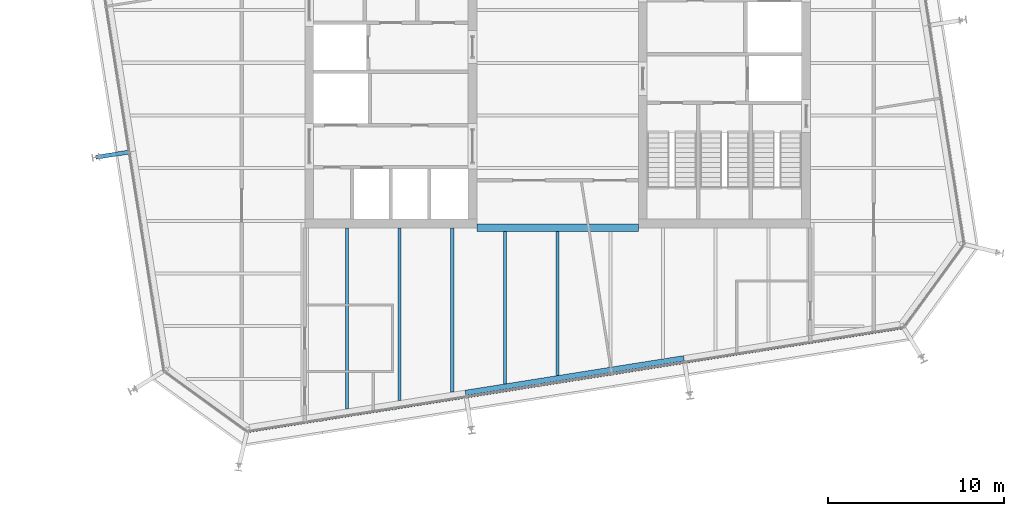
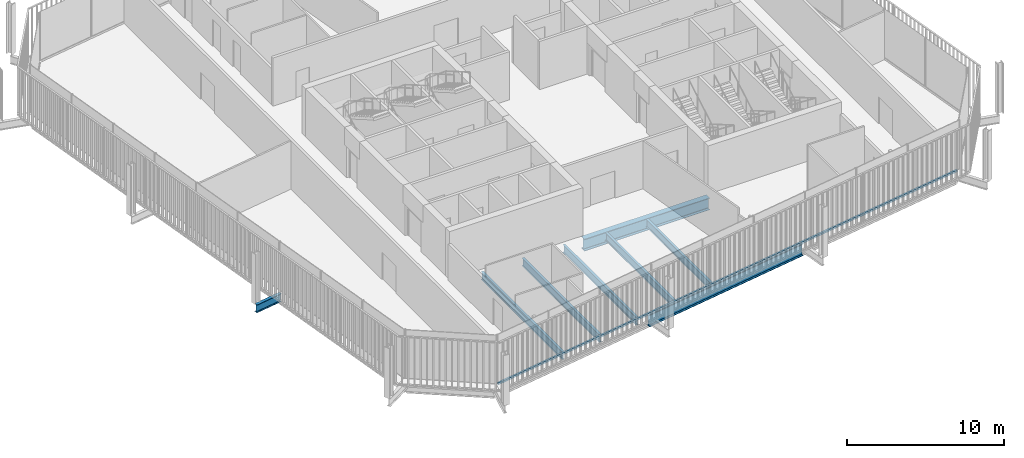
# One storey, part 3 of 20: 8 beams, 1 member, 1 element without a shape of its own.
"""IFC4 building model written with IfcOpenShell, lengths in metres."""

from ifc_helpers import new_model, si_unit, direction, frame, origin, origin_2d, place, context, subcontext, project, spatial, rectangle, i_section, extrude, material, layer, layer_set, material_profile, profile_set, type_object, element, aggregate, save


model = new_model("IFC4")

# Units and contexts
model_context = context("Model", 3, precision=1e-05, world=origin(), true_north=direction((0.0, 1.0)))
body_context = subcontext(model_context, "Body", "Model", "MODEL_VIEW")
ifc_project = project(units=[si_unit("LENGTHUNIT", "METRE"), si_unit("AREAUNIT", "SQUARE_METRE"), si_unit("VOLUMEUNIT", "CUBIC_METRE"), si_unit("PLANEANGLEUNIT", "RADIAN"), si_unit("MASSUNIT", "GRAM", prefix="KILO")], contexts=[model_context])

# Site, building, storey
site_placement = place(None, origin())
site = spatial("IfcSite", under=ifc_project, at=site_placement, CompositionType="ELEMENT")
building_placement = place(site_placement, origin())
building = spatial("IfcBuilding", under=site, at=building_placement, Name="Millrace Tower", CompositionType="ELEMENT")
storey_placement = place(building_placement, frame((0.0, 0.0, 224.199951171875)))
storey = spatial("IfcBuildingStorey", under=building, at=storey_placement, Name="L51", CompositionType="ELEMENT", Elevation=224.199951171875)

# Curtain wall, member
ifc_material_1 = material(Name="Aluminium and glass", Category="aluminium")
ifc_layer = layer(ifc_material_1, 0.14990234375)
ifc_layer_set = layer_set([ifc_layer], Name="Aluminium and glass")
curtain_wall_type = type_object("IfcCurtainWallType", Name="CW-1 office vision curtain wall", PredefinedType="NOTDEFINED", material=ifc_layer_set)
curtain_wall_placement = place(storey_placement, origin())
curtain_wall = element("IfcCurtainWall", 1, at=curtain_wall_placement, inside=storey, type_object=curtain_wall_type, Name="Curtain wall D-F02 L51", PredefinedType="NOTDEFINED")
ifc_material_2 = material(Name="Aluminium", Category="aluminium")
ifc_material_profile_1 = material_profile(ifc_material_2, rectangle(XDim=0.14990234375, YDim=0.139892578125, at=origin_2d()))
ifc_profile_set_1 = profile_set([ifc_material_profile_1], Name="Aluminium")
member_type = type_object("IfcMemberType", Name="CW-1 office vision curtain wall transom", PredefinedType="USERDEFINED", material=ifc_profile_set_1)
member_placement = place(storey_placement, frame((-17.558837890625, -20.98193359375, 0.070068359375), z_axis=(0.987687829698, 0.156437690685, 0.0), x_axis=(-0.156437690685, 0.987687829698, 0.0)))
member = element("IfcMember", 2, at=member_placement, type_object=member_type, Name="CW1 transom D-F02.1", ObjectType="TRANSOM", PredefinedType="USERDEFINED", context=body_context, shape_type="SweptSolid", body=[
    extrude(rectangle(XDim=0.14990234375, YDim=0.139892578125, at=origin_2d()), origin(), (0.0, 0.0, 1.0), 37.60009765625),
])
aggregate(curtain_wall, [member])

# Beams
ifc_material_3 = material(Name="Steel ASTM A992 Grade 50", Category="steel")
ifc_material_profile_2 = material_profile(ifc_material_3, i_section(OverallWidth=0.177978515625, OverallDepth=0.599365234375, WebThickness=0.010009765625, FlangeThickness=0.012939453125, FilletRadius=0.012939453125, at=origin_2d()))
ifc_profile_set_2 = profile_set([ifc_material_profile_2], Name="Steel ASTM A992 Grade 50")
beam_type_1 = type_object("IfcBeamType", Name="Floor beam W24x55", PredefinedType="JOIST", material=ifc_profile_set_2)
beam_1_placement = place(storey_placement, frame((-9.0, -19.2392578125, -0.459716796875), z_axis=(0.0, 1.0, 0.0), x_axis=(-1.0, 0.0, 0.0)))
element("IfcBeam", 3, at=beam_1_placement, inside=storey, type_object=beam_type_1, Name="BM-D-L51-S1-S039", PredefinedType="JOIST", context=body_context, shape_type="SweptSolid", body=[
    extrude(i_section(OverallWidth=0.177978515625, OverallDepth=0.599365234375, WebThickness=0.010009765625, FlangeThickness=0.012939453125, FilletRadius=0.012939453125, at=origin_2d()), origin(), (0.0, 0.0, 1.0), 9.83935546875),
])
beam_2_placement = place(storey_placement, frame((-6.0, -18.763916015625, -0.459716796875), z_axis=(0.0, 1.0, 0.0), x_axis=(-1.0, 0.0, 0.0)))
element("IfcBeam", 4, at=beam_2_placement, inside=storey, type_object=beam_type_1, Name="BM-D-L51-S1-S041", PredefinedType="JOIST", context=body_context, shape_type="SweptSolid", body=[
    extrude(i_section(OverallWidth=0.177978515625, OverallDepth=0.599365234375, WebThickness=0.010009765625, FlangeThickness=0.012939453125, FilletRadius=0.012939453125, at=origin_2d()), origin(), (0.0, 0.0, 1.0), 9.364013671875),
])
beam_3_placement = place(storey_placement, frame((-3.0, -18.288818359375, -0.459716796875), z_axis=(0.0, 1.0, 0.0), x_axis=(-1.0, 0.0, 0.0)))
element("IfcBeam", 5, at=beam_3_placement, inside=storey, type_object=beam_type_1, Name="BM-D-L51-S1-S043", PredefinedType="JOIST", context=body_context, shape_type="SweptSolid", body=[
    extrude(i_section(OverallWidth=0.177978515625, OverallDepth=0.599365234375, WebThickness=0.010009765625, FlangeThickness=0.012939453125, FilletRadius=0.012939453125, at=origin_2d()), origin(), (0.0, 0.0, 1.0), 8.67919921875),
])
beam_4_placement = place(storey_placement, frame((0.0, -17.813720703125, -0.459716796875), z_axis=(0.0, 1.0, 0.0), x_axis=(-1.0, 0.0, 0.0)))
element("IfcBeam", 6, at=beam_4_placement, inside=storey, type_object=beam_type_1, Name="BM-D-L51-S1-S045", PredefinedType="JOIST", context=body_context, shape_type="SweptSolid", body=[
    extrude(i_section(OverallWidth=0.177978515625, OverallDepth=0.599365234375, WebThickness=0.010009765625, FlangeThickness=0.012939453125, FilletRadius=0.012939453125, at=origin_2d()), origin(), (0.0, 0.0, 1.0), 8.2041015625),
])
ifc_material_4 = material(Name="Steel ASTM A992 Grade 50", Category="steel")
ifc_material_profile_3 = material_profile(ifc_material_4, i_section(OverallWidth=0.1787109375, OverallDepth=0.60205078125, WebThickness=0.010986328125, FlangeThickness=0.014892578125, FilletRadius=0.0126953125, at=origin_2d()))
ifc_profile_set_3 = profile_set([ifc_material_profile_3], Name="Steel ASTM A992 Grade 50")
beam_type_2 = type_object("IfcBeamType", Name="Floor beam W24x62", PredefinedType="JOIST", material=ifc_profile_set_3)
beam_5_placement = place(storey_placement, frame((-12.0, -19.71435546875, -0.4609375), z_axis=(0.0, 1.0, 0.0), x_axis=(-1.0, 0.0, 0.0)))
element("IfcBeam", 7, at=beam_5_placement, inside=storey, type_object=beam_type_2, Name="BM-D-L51-S1-S037", PredefinedType="JOIST", context=body_context, shape_type="SweptSolid", body=[
    extrude(i_section(OverallWidth=0.1787109375, OverallDepth=0.60205078125, WebThickness=0.010986328125, FlangeThickness=0.014892578125, FilletRadius=0.0126953125, at=origin_2d()), origin(), (0.0, 0.0, 1.0), 10.314453125),
])
ifc_material_5 = material(Name="Steel ASTM A992 Grade 50", Category="steel")
ifc_material_profile_4 = material_profile(ifc_material_5, i_section(OverallWidth=0.419189453125, OverallDepth=0.927001953125, WebThickness=0.019287109375, FlangeThickness=0.031982421875, FilletRadius=0.024169921875, at=origin_2d()))
ifc_profile_set_4 = profile_set([ifc_material_profile_4], Name="Steel ASTM A992 Grade 50")
beam_type_3 = type_object("IfcBeamType", Name="Girder short span W36x231", PredefinedType="BEAM", material=ifc_profile_set_4)
beam_6_placement = place(storey_placement, frame((-4.60009765625, -9.39990234375, -0.62353515625), z_axis=(1.0, 0.0, 0.0), x_axis=(0.0, 1.0, 0.0)))
element("IfcBeam", 8, at=beam_6_placement, inside=storey, type_object=beam_type_3, Name="BM-D-L51-S1-G059", PredefinedType="BEAM", context=body_context, shape_type="SweptSolid", body=[
    extrude(i_section(OverallWidth=0.419189453125, OverallDepth=0.927001953125, WebThickness=0.019287109375, FlangeThickness=0.031982421875, FilletRadius=0.024169921875, at=origin_2d()), origin(), (0.0, 0.0, 1.0), 9.2001953125),
])
ifc_material_6 = material(Name="Steel ASTM A992 Grade 50", Category="steel")
ifc_material_profile_5 = material_profile(ifc_material_6, i_section(OverallWidth=0.23046875, OverallDepth=0.6171875, WebThickness=0.01318359375, FlangeThickness=0.022216796875, FilletRadius=0.012939453125, at=origin_2d()))
ifc_profile_set_5 = profile_set([ifc_material_profile_5], Name="Steel ASTM A992 Grade 50")
beam_type_4 = type_object("IfcBeamType", Name="Link beam W24x94", PredefinedType="BEAM", material=ifc_profile_set_5)
beam_7_placement = place(storey_placement, frame((-24.331298828125, -5.0703125, -0.468505859375), z_axis=(-0.987678691416, -0.156495375404, 0.0), x_axis=(0.156495375404, -0.987678691416, 0.0)))
element("IfcBeam", 9, at=beam_7_placement, inside=storey, type_object=beam_type_4, Name="LNK-D-L51-S1-02", PredefinedType="BEAM", context=body_context, shape_type="SweptSolid", body=[
    extrude(i_section(OverallWidth=0.23046875, OverallDepth=0.6171875, WebThickness=0.01318359375, FlangeThickness=0.022216796875, FilletRadius=0.012939453125, at=origin_2d()), origin(), (0.0, 0.0, 1.0), 2.0),
])
ifc_material_7 = material(Name="Steel ASTM A992 Grade 50", Category="steel")
ifc_material_profile_6 = material_profile(ifc_material_7, i_section(OverallWidth=0.307373046875, OverallDepth=0.927001953125, WebThickness=0.01953125, FlangeThickness=0.031982421875, FilletRadius=0.01904296875, at=origin_2d()))
ifc_profile_set_6 = profile_set([ifc_material_profile_6], Name="Steel ASTM A992 Grade 50")
beam_type_5 = type_object("IfcBeamType", Name="Ring beam medium span W36x194", PredefinedType="SPANDREL", material=ifc_profile_set_6)
beam_8_placement = place(storey_placement, frame((7.1962890625, -16.82958984375, -0.62353515625), z_axis=(-0.987689802912, -0.156425232058, 0.0), x_axis=(0.156425232058, -0.987689802912, 0.0)))
element("IfcBeam", 10, at=beam_8_placement, inside=storey, type_object=beam_type_5, Name="RNG-D-L51-S1-14", PredefinedType="SPANDREL", context=body_context, shape_type="SweptSolid", body=[
    extrude(i_section(OverallWidth=0.307373046875, OverallDepth=0.927001953125, WebThickness=0.01953125, FlangeThickness=0.031982421875, FilletRadius=0.01904296875, at=origin_2d()), origin(), (0.0, 0.0, 1.0), 12.599853515625),
])

save(model, "model.ifc")
